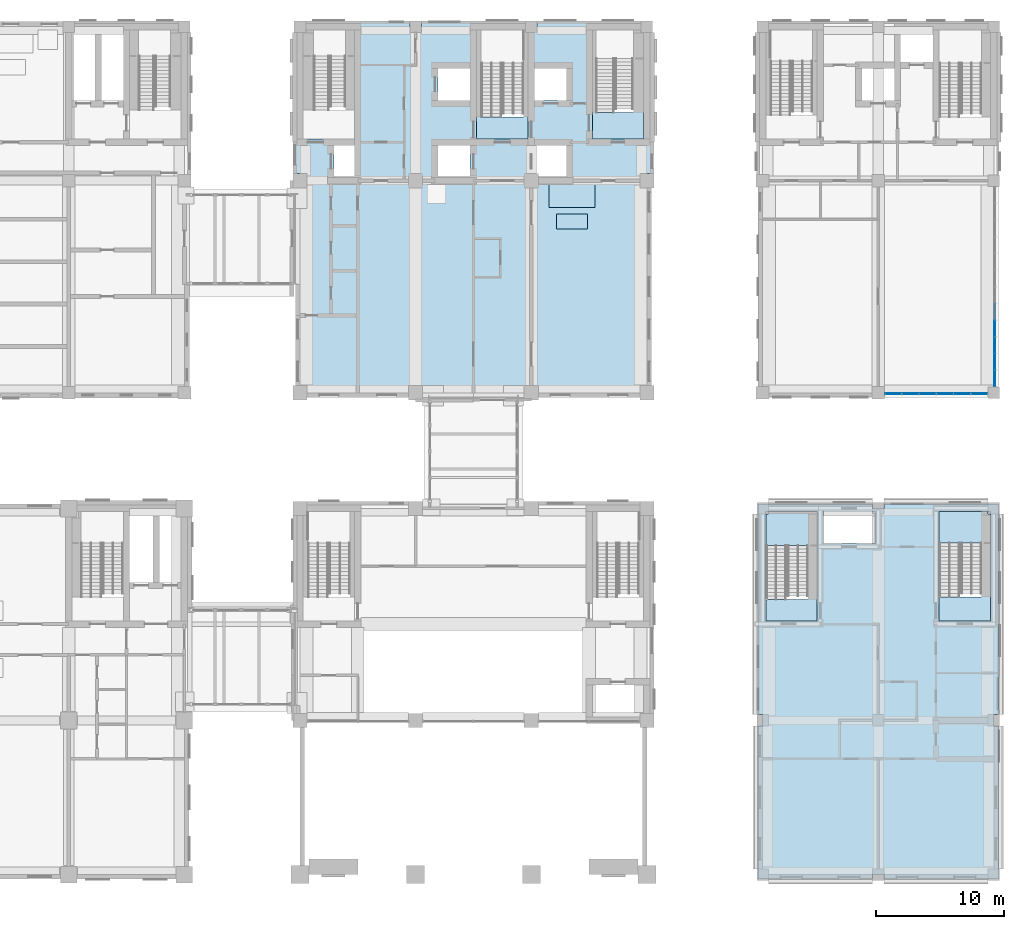
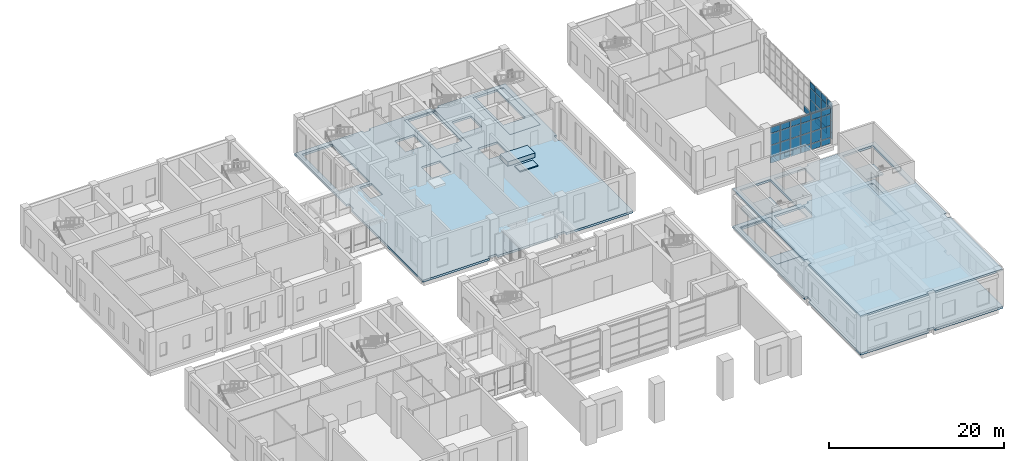
# One storey, part 24 of 52: 41 plates, 11 slabs, 6 elements without a shape of their own.
"""IFC4 building model written with IfcOpenShell, lengths in metres."""

from ifc_helpers import new_model, si_unit, direction, frame, origin, origin_2d, place, context, subcontext, project, spatial, polyline, rectangle, outline, extrude, material, layer, layer_set, type_object, element, aggregate, save


model = new_model("IFC4")

# Units and contexts
model_context = context("Model", 3, precision=1e-05, world=origin(), true_north=direction((0.0, 1.0)))
body_context = subcontext(model_context, "Body", "Model", "MODEL_VIEW")
ifc_project = project(units=[si_unit("LENGTHUNIT", "METRE"), si_unit("AREAUNIT", "SQUARE_METRE"), si_unit("VOLUMEUNIT", "CUBIC_METRE"), si_unit("PLANEANGLEUNIT", "RADIAN"), si_unit("MASSUNIT", "GRAM", prefix="KILO")], contexts=[model_context])

# Site, building, storey
site_placement = place(None, origin())
site = spatial("IfcSite", under=ifc_project, at=site_placement, CompositionType="ELEMENT")
building_placement = place(site_placement, origin())
building = spatial("IfcBuilding", under=site, at=building_placement, Name="Aurelan Courthouse", CompositionType="ELEMENT")
storey_placement = place(building_placement, frame((0.0, 0.0, 6.60009765625)))
storey = spatial("IfcBuildingStorey", under=building, at=storey_placement, Name="L01", CompositionType="ELEMENT", Elevation=6.60009765625)

# Curtain wall, plates
ifc_material_1 = material(Name="Bronze-finished aluminium and glass", Category="aluminium")
ifc_layer_1 = layer(ifc_material_1, 0.14990234375)
ifc_layer_set_1 = layer_set([ifc_layer_1], Name="Bronze-finished aluminium and glass")
curtain_wall_type_1 = type_object("IfcCurtainWallType", Name="Curtain wall 8050 x 5100", PredefinedType="NOTDEFINED", material=ifc_layer_set_1)
curtain_wall_1_placement = place(storey_placement, origin())
curtain_wall_1 = element("IfcCurtainWall", 1, at=curtain_wall_1_placement, inside=storey, type_object=curtain_wall_type_1, Name="Curtain wall CW-V3-L01-S01", PredefinedType="NOTDEFINED")
ifc_material_2 = material(Name="Bronze-finished aluminium", Category="aluminium")
ifc_layer_2 = layer(ifc_material_2, 0.070068359375)
ifc_layer_set_2 = layer_set([ifc_layer_2], Name="Bronze-finished aluminium")
plate_type_1 = type_object("IfcPlateType", Name="Bronze spandrel panel 70", PredefinedType="CURTAIN_PANEL", material=ifc_layer_set_2)
plate_1_placement = place(storey_placement, frame((82.185791015625, 37.425048828125, 4.22998046875), z_axis=(0.0, 0.0, 1.0), x_axis=(1.0, 0.0, 0.0)))
plate_1 = element("IfcPlate", 2, at=plate_1_placement, type_object=plate_type_1, Name="CW-V3-L01-S01 spandrel panel 1.4", PredefinedType="CURTAIN_PANEL", context=body_context, shape_type="SweptSolid", body=[
    extrude(rectangle(XDim=1.251708984375, YDim=0.070068359375, at=origin_2d()), origin(), (0.0, 0.0, 1.0), 0.81005859375),
])
plate_2_placement = place(storey_placement, frame((83.512451171875, 37.425048828125, 4.22998046875), z_axis=(0.0, 0.0, 1.0), x_axis=(1.0, 0.0, 0.0)))
plate_2 = element("IfcPlate", 3, at=plate_2_placement, type_object=plate_type_1, Name="CW-V3-L01-S01 spandrel panel 2.4", PredefinedType="CURTAIN_PANEL", context=body_context, shape_type="SweptSolid", body=[
    extrude(rectangle(XDim=1.28173828125, YDim=0.070068359375, at=origin_2d()), origin(), (0.0, 0.0, 1.0), 0.81005859375),
])
plate_3_placement = place(storey_placement, frame((84.854248046875, 37.425048828125, 4.22998046875), z_axis=(0.0, 0.0, 1.0), x_axis=(1.0, 0.0, 0.0)))
plate_3 = element("IfcPlate", 4, at=plate_3_placement, type_object=plate_type_1, Name="CW-V3-L01-S01 spandrel panel 3.4", PredefinedType="CURTAIN_PANEL", context=body_context, shape_type="SweptSolid", body=[
    extrude(rectangle(XDim=1.28173828125, YDim=0.070068359375, at=origin_2d()), origin(), (0.0, 0.0, 1.0), 0.81005859375),
])
plate_4_placement = place(storey_placement, frame((86.19580078125, 37.425048828125, 4.22998046875), z_axis=(0.0, 0.0, 1.0), x_axis=(1.0, 0.0, 0.0)))
plate_4 = element("IfcPlate", 5, at=plate_4_placement, type_object=plate_type_1, Name="CW-V3-L01-S01 spandrel panel 4.4", PredefinedType="CURTAIN_PANEL", context=body_context, shape_type="SweptSolid", body=[
    extrude(rectangle(XDim=1.28173828125, YDim=0.070068359375, at=origin_2d()), origin(), (0.0, 0.0, 1.0), 0.81005859375),
])
plate_5_placement = place(storey_placement, frame((87.53759765625, 37.425048828125, 4.22998046875), z_axis=(0.0, 0.0, 1.0), x_axis=(1.0, 0.0, 0.0)))
plate_5 = element("IfcPlate", 6, at=plate_5_placement, type_object=plate_type_1, Name="CW-V3-L01-S01 spandrel panel 5.4", PredefinedType="CURTAIN_PANEL", context=body_context, shape_type="SweptSolid", body=[
    extrude(rectangle(XDim=1.28173828125, YDim=0.070068359375, at=origin_2d()), origin(), (0.0, 0.0, 1.0), 0.81005859375),
])
plate_6_placement = place(storey_placement, frame((88.8642578125, 37.425048828125, 4.22998046875), z_axis=(0.0, 0.0, 1.0), x_axis=(1.0, 0.0, 0.0)))
plate_6 = element("IfcPlate", 7, at=plate_6_placement, type_object=plate_type_1, Name="CW-V3-L01-S01 spandrel panel 6.4", PredefinedType="CURTAIN_PANEL", context=body_context, shape_type="SweptSolid", body=[
    extrude(rectangle(XDim=1.251708984375, YDim=0.070068359375, at=origin_2d()), origin(), (0.0, 0.0, 1.0), 0.81005859375),
])

ifc_layer_3 = layer(ifc_material_1, 0.14990234375)
ifc_layer_set_3 = layer_set([ifc_layer_3], Name="Bronze-finished aluminium and glass")
curtain_wall_type_2 = type_object("IfcCurtainWallType", Name="Curtain wall 15600 x 5100", PredefinedType="NOTDEFINED", material=ifc_layer_set_3)
curtain_wall_2_placement = place(storey_placement, origin())
curtain_wall_2 = element("IfcCurtainWall", 8, at=curtain_wall_2_placement, inside=storey, type_object=curtain_wall_type_2, Name="Curtain wall CW-V3-L01-E01", PredefinedType="NOTDEFINED")
plate_7_placement = place(storey_placement, frame((90.074951171875, 38.614990234375, 4.22998046875), z_axis=(0.0, 0.0, 1.0), x_axis=(0.0, 1.0, 0.0)))
plate_7 = element("IfcPlate", 9, at=plate_7_placement, type_object=plate_type_1, Name="CW-V3-L01-E01 spandrel panel 1.4", PredefinedType="CURTAIN_PANEL", context=body_context, shape_type="SweptSolid", body=[
    extrude(rectangle(XDim=1.2099609375, YDim=0.070068359375, at=origin_2d()), origin(), (0.0, 0.0, 1.0), 0.81005859375),
])
plate_8_placement = place(storey_placement, frame((90.074951171875, 39.89990234375, 4.22998046875), z_axis=(0.0, 0.0, 1.0), x_axis=(0.0, 1.0, 0.0)))
plate_8 = element("IfcPlate", 10, at=plate_8_placement, type_object=plate_type_1, Name="CW-V3-L01-E01 spandrel panel 2.4", PredefinedType="CURTAIN_PANEL", context=body_context, shape_type="SweptSolid", body=[
    extrude(rectangle(XDim=1.239990234375, YDim=0.070068359375, at=origin_2d()), origin(), (0.0, 0.0, 1.0), 0.81005859375),
])
plate_9_placement = place(storey_placement, frame((90.074951171875, 41.199951171875, 4.22998046875), z_axis=(0.0, 0.0, 1.0), x_axis=(0.0, 1.0, 0.0)))
plate_9 = element("IfcPlate", 11, at=plate_9_placement, type_object=plate_type_1, Name="CW-V3-L01-E01 spandrel panel 3.4", PredefinedType="CURTAIN_PANEL", context=body_context, shape_type="SweptSolid", body=[
    extrude(rectangle(XDim=1.239990234375, YDim=0.070068359375, at=origin_2d()), origin(), (0.0, 0.0, 1.0), 0.81005859375),
])
plate_10_placement = place(storey_placement, frame((90.074951171875, 42.5, 4.22998046875), z_axis=(0.0, 0.0, 1.0), x_axis=(0.0, 1.0, 0.0)))
plate_10 = element("IfcPlate", 12, at=plate_10_placement, type_object=plate_type_1, Name="CW-V3-L01-E01 spandrel panel 4.4", PredefinedType="CURTAIN_PANEL", context=body_context, shape_type="SweptSolid", body=[
    extrude(rectangle(XDim=1.239990234375, YDim=0.070068359375, at=origin_2d()), origin(), (0.0, 0.0, 1.0), 0.81005859375),
])

# Slabs
ifc_material_3 = material(Name="Concrete C30", Category="concrete")
ifc_layer_4 = layer(ifc_material_3, 0.14990234375)
ifc_layer_set_4 = layer_set([ifc_layer_4], Name="Concrete C30")
slab_type_1 = type_object("IfcSlabType", Name="Clerk's dais 150", PredefinedType="FLOOR", material=ifc_layer_set_4)
slab_1_placement = place(storey_placement, origin())
element("IfcSlab", 13, at=slab_1_placement, inside=storey, type_object=slab_type_1, Name="Clerk's dais Grand Civil Courtroom 2.01.02", PredefinedType="FLOOR", context=body_context, shape_type="SweptSolid", body=[
    extrude(outline(polyline([(55.97509765625, 50.22509765625), (58.375, 50.22509765625), (58.375, 51.425048828125), (55.97509765625, 51.425048828125), (55.97509765625, 50.22509765625)])), origin(), (0.0, 0.0, 1.0), 0.14990234375),
])
ifc_layer_5 = layer(ifc_material_3, 0.610107421875)
ifc_layer_set_5 = layer_set([ifc_layer_5], Name="Concrete C30")
slab_type_2 = type_object("IfcSlabType", Name="Judge's bench dais 610", PredefinedType="FLOOR", material=ifc_layer_set_5)
slab_2_placement = place(storey_placement, origin())
element("IfcSlab", 14, at=slab_2_placement, inside=storey, type_object=slab_type_2, Name="Judge's bench dais Grand Civil Courtroom 2.01.02", PredefinedType="FLOOR", context=body_context, shape_type="SweptSolid", body=[
    extrude(outline(polyline([(55.375, 51.925048828125), (58.97509765625, 51.925048828125), (58.97509765625, 53.72509765625), (55.375, 53.72509765625), (55.375, 51.925048828125)])), origin(), (0.0, 0.0, 1.0), 0.60986328125),
])
ifc_material_4 = material(Name="Concrete C40", Category="concrete")
ifc_layer_6 = layer(ifc_material_4, 0.300048828125)
ifc_layer_set_6 = layer_set([ifc_layer_6], Name="Concrete C40")
slab_type_3 = type_object("IfcSlabType", Name="PT floor slab 300", PredefinedType="FLOOR", material=ifc_layer_set_6)
slab_3_placement = place(storey_placement, frame((0.0, 0.0, -0.300048828125)))
element("IfcSlab", 15, at=slab_3_placement, inside=storey, type_object=slab_type_3, Name="Floor slab SL-L01-02", PredefinedType="FLOOR", context=body_context, shape_type="SweptSolid", body=[
    extrude(outline(polyline([(35.64990234375, 66.35009765625), (35.64990234375, 65.550048828125), (35.64990234375, 54.550048828125), (36.0, 54.550048828125), (36.0, 53.449951171875), (35.64990234375, 53.449951171875), (35.64990234375, 38.050048828125), (35.64990234375, 37.14990234375), (36.550048828125, 37.14990234375), (44.449951171875, 37.14990234375), (44.449951171875, 37.5), (45.550048828125, 37.5), (45.550048828125, 37.14990234375), (53.449951171875, 37.14990234375), (53.449951171875, 37.5), (54.550048828125, 37.5), (54.550048828125, 37.14990234375), (62.449951171875, 37.14990234375), (63.35009765625, 37.14990234375), (63.35009765625, 38.050048828125), (63.35009765625, 53.449951171875), (63.0, 53.449951171875), (63.0, 54.550048828125), (63.35009765625, 54.550048828125), (63.35009765625, 65.550048828125), (63.35009765625, 66.35009765625), (62.550048828125, 66.35009765625), (54.449951171875, 66.35009765625), (54.449951171875, 66.0), (53.550048828125, 66.0), (53.550048828125, 66.35009765625), (45.449951171875, 66.35009765625), (45.449951171875, 66.0), (44.550048828125, 66.0), (44.550048828125, 66.35009765625), (36.449951171875, 66.35009765625), (35.64990234375, 66.35009765625)]), holes=[polyline([(58.75, 65.75), (62.75, 65.75), (62.75, 57.25), (58.75, 57.25), (58.75, 65.75)]), polyline([(56.75, 56.75), (56.75, 54.25), (54.25, 54.25), (54.25, 56.75), (56.75, 56.75)]), polyline([(56.75, 60.25), (54.25, 60.25), (54.25, 62.75), (56.75, 62.75), (56.75, 60.25)]), polyline([(49.75, 57.25), (49.75, 65.75), (53.75, 65.75), (53.75, 57.25), (49.75, 57.25)]), polyline([(46.75, 56.75), (49.25, 56.75), (49.25, 54.25), (46.75, 54.25), (46.75, 56.75)]), polyline([(46.75, 60.25), (46.75, 62.75), (49.25, 62.75), (49.25, 60.25), (46.75, 60.25)]), polyline([(40.25, 56.75), (40.25, 54.25), (38.64990234375, 54.25), (38.64990234375, 56.75), (40.25, 56.75)]), polyline([(40.25, 57.25), (36.25, 57.25), (36.25, 65.75), (40.25, 65.75), (40.25, 57.25)])]), origin(), (0.0, 0.0, 1.0), 0.300048828125),
])
slab_4_placement = place(storey_placement, frame((0.0, 0.0, -0.300048828125)))
element("IfcSlab", 16, at=slab_4_placement, inside=storey, type_object=slab_type_3, Name="Floor slab SL-L01-04", PredefinedType="FLOOR", context=body_context, shape_type="SweptSolid", body=[
    extrude(outline(polyline([(71.64990234375, 11.550048828125), (71.64990234375, 0.449951171875), (71.64990234375, -0.35009765625), (72.449951171875, -0.35009765625), (80.550048828125, -0.35009765625), (80.550048828125, 0.0), (81.449951171875, 0.0), (81.449951171875, -0.35009765625), (89.550048828125, -0.35009765625), (90.35009765625, -0.35009765625), (90.35009765625, 0.449951171875), (90.35009765625, 11.550048828125), (90.0, 11.550048828125), (90.0, 12.449951171875), (90.35009765625, 12.449951171875), (90.35009765625, 28.050048828125), (90.35009765625, 28.85009765625), (89.550048828125, 28.85009765625), (81.449951171875, 28.85009765625), (81.449951171875, 28.5), (80.550048828125, 28.5), (80.550048828125, 28.85009765625), (72.449951171875, 28.85009765625), (71.64990234375, 28.85009765625), (71.64990234375, 28.050048828125), (71.64990234375, 12.449951171875), (72.0, 12.449951171875), (72.0, 11.550048828125), (71.64990234375, 11.550048828125)]), holes=[polyline([(85.75, 28.25), (89.75, 28.25), (89.75, 19.75), (85.75, 19.75), (85.75, 28.25)]), polyline([(80.75, 28.25), (80.75, 25.75), (76.75, 25.75), (76.75, 28.25), (80.75, 28.25)]), polyline([(72.25, 19.75), (72.25, 28.25), (76.25, 28.25), (76.25, 19.75), (72.25, 19.75)])]), origin(), (0.0, 0.0, 1.0), 0.300048828125),
])
ifc_layer_7 = layer(ifc_material_4, 0.25)
ifc_layer_set_7 = layer_set([ifc_layer_7], Name="Concrete C40")
slab_type_4 = type_object("IfcSlabType", Name="Roof slab 250", PredefinedType="ROOF", material=ifc_layer_set_7)
slab_5_placement = place(storey_placement, frame((0.0, 0.0, 4.951904296875)))
element("IfcSlab", 17, at=slab_5_placement, inside=storey, type_object=slab_type_4, Name="Roof slab V4 SL-L01-07", PredefinedType="ROOF", context=body_context, shape_type="SweptSolid", body=[
    extrude(outline(polyline([(71.64990234375, 11.550048828125), (71.64990234375, 0.449951171875), (71.64990234375, -0.35009765625), (72.449951171875, -0.35009765625), (80.550048828125, -0.35009765625), (80.550048828125, 0.0), (81.449951171875, 0.0), (81.449951171875, -0.35009765625), (89.550048828125, -0.35009765625), (90.35009765625, -0.35009765625), (90.35009765625, 0.449951171875), (90.35009765625, 11.550048828125), (90.0, 11.550048828125), (90.0, 12.449951171875), (90.35009765625, 12.449951171875), (90.35009765625, 28.050048828125), (90.35009765625, 28.85009765625), (89.550048828125, 28.85009765625), (81.449951171875, 28.85009765625), (81.449951171875, 28.5), (80.550048828125, 28.5), (80.550048828125, 28.85009765625), (72.449951171875, 28.85009765625), (71.64990234375, 28.85009765625), (71.64990234375, 28.050048828125), (71.64990234375, 12.449951171875), (72.0, 12.449951171875), (72.0, 11.550048828125), (71.64990234375, 11.550048828125)]), holes=[polyline([(85.75, 28.25), (89.75, 28.25), (89.75, 19.75), (85.75, 19.75), (85.75, 28.25)]), polyline([(80.75, 28.25), (80.75, 25.75), (76.75, 25.75), (76.75, 28.25), (80.75, 28.25)]), polyline([(72.25, 19.75), (72.25, 28.25), (76.25, 28.25), (76.25, 19.75), (72.25, 19.75)])]), origin(), (0.0, 0.0, 1.0), 0.25),
])

# Plate
ifc_layer_8 = layer(ifc_material_2, 0.0400390625)
ifc_layer_set_8 = layer_set([ifc_layer_8], Name="Bronze-finished aluminium")
plate_type_2 = type_object("IfcPlateType", Name="Sill panel 40", PredefinedType="CURTAIN_PANEL", material=ifc_layer_set_8)
plate_11_placement = place(storey_placement, frame((82.185791015625, 37.425048828125, 0.059814453125), z_axis=(0.0, 0.0, 1.0), x_axis=(1.0, 0.0, 0.0)))
plate_11 = element("IfcPlate", 18, at=plate_11_placement, type_object=plate_type_2, Name="CW-V3-L01-S01 sill panel 1.1", PredefinedType="CURTAIN_PANEL", context=body_context, shape_type="SweptSolid", body=[
    extrude(rectangle(XDim=1.251708984375, YDim=0.0400390625, at=origin_2d()), origin(), (0.0, 0.0, 1.0), 0.81005859375),
])

plate_12_placement = place(storey_placement, frame((83.512451171875, 37.425048828125, 0.059814453125), z_axis=(0.0, 0.0, 1.0), x_axis=(1.0, 0.0, 0.0)))
plate_12 = element("IfcPlate", 19, at=plate_12_placement, type_object=plate_type_2, Name="CW-V3-L01-S01 sill panel 2.1", PredefinedType="CURTAIN_PANEL", context=body_context, shape_type="SweptSolid", body=[
    extrude(rectangle(XDim=1.28173828125, YDim=0.0400390625, at=origin_2d()), origin(), (0.0, 0.0, 1.0), 0.81005859375),
])

plate_13_placement = place(storey_placement, frame((84.854248046875, 37.425048828125, 0.059814453125), z_axis=(0.0, 0.0, 1.0), x_axis=(1.0, 0.0, 0.0)))
plate_13 = element("IfcPlate", 20, at=plate_13_placement, type_object=plate_type_2, Name="CW-V3-L01-S01 sill panel 3.1", PredefinedType="CURTAIN_PANEL", context=body_context, shape_type="SweptSolid", body=[
    extrude(rectangle(XDim=1.28173828125, YDim=0.0400390625, at=origin_2d()), origin(), (0.0, 0.0, 1.0), 0.81005859375),
])

plate_14_placement = place(storey_placement, frame((86.19580078125, 37.425048828125, 0.059814453125), z_axis=(0.0, 0.0, 1.0), x_axis=(1.0, 0.0, 0.0)))
plate_14 = element("IfcPlate", 21, at=plate_14_placement, type_object=plate_type_2, Name="CW-V3-L01-S01 sill panel 4.1", PredefinedType="CURTAIN_PANEL", context=body_context, shape_type="SweptSolid", body=[
    extrude(rectangle(XDim=1.28173828125, YDim=0.0400390625, at=origin_2d()), origin(), (0.0, 0.0, 1.0), 0.81005859375),
])

plate_15_placement = place(storey_placement, frame((87.53759765625, 37.425048828125, 0.059814453125), z_axis=(0.0, 0.0, 1.0), x_axis=(1.0, 0.0, 0.0)))
plate_15 = element("IfcPlate", 22, at=plate_15_placement, type_object=plate_type_2, Name="CW-V3-L01-S01 sill panel 5.1", PredefinedType="CURTAIN_PANEL", context=body_context, shape_type="SweptSolid", body=[
    extrude(rectangle(XDim=1.28173828125, YDim=0.0400390625, at=origin_2d()), origin(), (0.0, 0.0, 1.0), 0.81005859375),
])

plate_16_placement = place(storey_placement, frame((88.8642578125, 37.425048828125, 0.059814453125), z_axis=(0.0, 0.0, 1.0), x_axis=(1.0, 0.0, 0.0)))
plate_16 = element("IfcPlate", 23, at=plate_16_placement, type_object=plate_type_2, Name="CW-V3-L01-S01 sill panel 6.1", PredefinedType="CURTAIN_PANEL", context=body_context, shape_type="SweptSolid", body=[
    extrude(rectangle(XDim=1.251708984375, YDim=0.0400390625, at=origin_2d()), origin(), (0.0, 0.0, 1.0), 0.81005859375),
])

plate_17_placement = place(storey_placement, frame((90.074951171875, 38.614990234375, 0.059814453125), z_axis=(0.0, 0.0, 1.0), x_axis=(0.0, 1.0, 0.0)))
plate_17 = element("IfcPlate", 24, at=plate_17_placement, type_object=plate_type_2, Name="CW-V3-L01-E01 sill panel 1.1", PredefinedType="CURTAIN_PANEL", context=body_context, shape_type="SweptSolid", body=[
    extrude(rectangle(XDim=1.2099609375, YDim=0.0400390625, at=origin_2d()), origin(), (0.0, 0.0, 1.0), 0.81005859375),
])

plate_18_placement = place(storey_placement, frame((90.074951171875, 39.89990234375, 0.059814453125), z_axis=(0.0, 0.0, 1.0), x_axis=(0.0, 1.0, 0.0)))
plate_18 = element("IfcPlate", 25, at=plate_18_placement, type_object=plate_type_2, Name="CW-V3-L01-E01 sill panel 2.1", PredefinedType="CURTAIN_PANEL", context=body_context, shape_type="SweptSolid", body=[
    extrude(rectangle(XDim=1.239990234375, YDim=0.0400390625, at=origin_2d()), origin(), (0.0, 0.0, 1.0), 0.81005859375),
])

plate_19_placement = place(storey_placement, frame((90.074951171875, 41.199951171875, 0.059814453125), z_axis=(0.0, 0.0, 1.0), x_axis=(0.0, 1.0, 0.0)))
plate_19 = element("IfcPlate", 26, at=plate_19_placement, type_object=plate_type_2, Name="CW-V3-L01-E01 sill panel 3.1", PredefinedType="CURTAIN_PANEL", context=body_context, shape_type="SweptSolid", body=[
    extrude(rectangle(XDim=1.239990234375, YDim=0.0400390625, at=origin_2d()), origin(), (0.0, 0.0, 1.0), 0.81005859375),
])

plate_20_placement = place(storey_placement, frame((90.074951171875, 42.5, 0.059814453125), z_axis=(0.0, 0.0, 1.0), x_axis=(0.0, 1.0, 0.0)))
plate_20 = element("IfcPlate", 27, at=plate_20_placement, type_object=plate_type_2, Name="CW-V3-L01-E01 sill panel 4.1", PredefinedType="CURTAIN_PANEL", context=body_context, shape_type="SweptSolid", body=[
    extrude(rectangle(XDim=1.239990234375, YDim=0.0400390625, at=origin_2d()), origin(), (0.0, 0.0, 1.0), 0.81005859375),
])

plate_21_placement = place(storey_placement, frame((90.074951171875, 43.800048828125, 0.059814453125), z_axis=(0.0, 0.0, 1.0), x_axis=(0.0, 1.0, 0.0)))
plate_21 = element("IfcPlate", 28, at=plate_21_placement, type_object=plate_type_2, Name="CW-V3-L01-E01 sill panel 5.1", PredefinedType="CURTAIN_PANEL", context=body_context, shape_type="SweptSolid", body=[
    extrude(rectangle(XDim=1.239990234375, YDim=0.0400390625, at=origin_2d()), origin(), (0.0, 0.0, 1.0), 0.81005859375),
])

# Stair, slab
stair_type_1 = type_object("IfcStairType", Name="Half-turn stair 1600 wide 31 risers", PredefinedType="HALF_TURN_STAIR", material=ifc_material_3)
stair_1_placement = place(storey_placement, origin())
stair_1 = element("IfcStair", 29, at=stair_1_placement, inside=storey, type_object=stair_type_1, Name="Stair ST-2A-L01", PredefinedType="HALF_TURN_STAIR")
ifc_layer_9 = layer(ifc_material_3, 0.300048828125)
ifc_layer_set_9 = layer_set([ifc_layer_9], Name="Concrete C30")
slab_type_5 = type_object("IfcSlabType", Name="Stair floor landing 300 thick", PredefinedType="LANDING", material=ifc_layer_set_9)
slab_6_placement = place(storey_placement, frame((0.0, 0.0, -0.300048828125)))
slab_6 = element("IfcSlab", 30, at=slab_6_placement, type_object=slab_type_5, Name="Stair ST-2A-L01 floor landing", PredefinedType="LANDING", context=body_context, shape_type="SweptSolid", body=[
    extrude(outline(polyline([(53.75, 57.25), (49.75, 57.25), (49.75, 65.590087890625), (49.75, 65.60009765625), (49.75, 65.75), (53.550048828125, 65.75), (53.550048828125, 65.550048828125), (53.75, 65.550048828125), (53.75, 57.25)]), holes=[polyline([(51.800048828125, 58.9609375), (53.39990234375, 58.9609375), (53.39990234375, 65.590087890625), (50.10009765625, 65.590087890625), (50.10009765625, 58.9609375), (51.800048828125, 58.9609375)])]), origin(), (0.0, 0.0, 1.0), 0.300048828125),
])
aggregate(stair_1, [slab_6])

stair_type_2 = type_object("IfcStairType", Name="Half-turn stair 1400 wide 31 risers", PredefinedType="HALF_TURN_STAIR", material=ifc_material_3)
stair_2_placement = place(storey_placement, origin())
stair_2 = element("IfcStair", 31, at=stair_2_placement, inside=storey, type_object=stair_type_2, Name="Stair ST-2E-L01", PredefinedType="HALF_TURN_STAIR")
slab_7_placement = place(storey_placement, frame((0.0, 0.0, -0.300048828125)))
slab_7 = element("IfcSlab", 32, at=slab_7_placement, type_object=slab_type_5, Name="Stair ST-2E-L01 floor landing", PredefinedType="LANDING", context=body_context, shape_type="SweptSolid", body=[
    extrude(outline(polyline([(59.0400390625, 59.31103515625), (60.5400390625, 59.31103515625), (61.93994140625, 59.31103515625), (61.93994140625, 65.75), (62.550048828125, 65.75), (62.550048828125, 65.550048828125), (62.75, 65.550048828125), (62.75, 57.25), (58.75, 57.25), (58.75, 65.75), (59.0400390625, 65.75), (59.0400390625, 59.31103515625)])), origin(), (0.0, 0.0, 1.0), 0.300048828125),
])
aggregate(stair_2, [slab_7])

stair_3_placement = place(storey_placement, origin())
stair_3 = element("IfcStair", 33, at=stair_3_placement, inside=storey, type_object=stair_type_1, Name="Stair ST-4A-L01", PredefinedType="HALF_TURN_STAIR")
slab_8_placement = place(storey_placement, frame((0.0, 0.0, -0.300048828125)))
slab_8 = element("IfcSlab", 34, at=slab_8_placement, type_object=slab_type_5, Name="Stair ST-4A-L01 floor landing", PredefinedType="LANDING", context=body_context, shape_type="SweptSolid", body=[
    extrude(outline(polyline([(75.550048828125, 21.410888671875), (75.550048828125, 28.050048828125), (72.449951171875, 28.050048828125), (72.449951171875, 28.25), (76.25, 28.25), (76.25, 19.75), (72.25, 19.75), (72.25, 21.410888671875), (73.949951171875, 21.410888671875), (75.550048828125, 21.410888671875)])), origin(), (0.0, 0.0, 1.0), 0.300048828125),
])

stair_4_placement = place(storey_placement, origin())
stair_4 = element("IfcStair", 35, at=stair_4_placement, inside=storey, type_object=stair_type_1, Name="Stair ST-4B-L01", PredefinedType="HALF_TURN_STAIR")
slab_9_placement = place(storey_placement, frame((0.0, 0.0, -0.300048828125)))
slab_9 = element("IfcSlab", 36, at=slab_9_placement, type_object=slab_type_5, Name="Stair ST-4B-L01 floor landing", PredefinedType="LANDING", context=body_context, shape_type="SweptSolid", body=[
    extrude(outline(polyline([(89.050048828125, 21.611083984375), (89.050048828125, 28.25), (89.550048828125, 28.25), (89.550048828125, 28.050048828125), (89.75, 28.050048828125), (89.75, 19.75), (85.75, 19.75), (85.75, 21.611083984375), (87.449951171875, 21.611083984375), (89.050048828125, 21.611083984375)])), origin(), (0.0, 0.0, 1.0), 0.300048828125),
])

# Slab
ifc_layer_10 = layer(ifc_material_3, 0.199951171875)
ifc_layer_set_10 = layer_set([ifc_layer_10], Name="Concrete C30")
slab_type_6 = type_object("IfcSlabType", Name="Stair half landing 200 thick", PredefinedType="LANDING", material=ifc_layer_set_10)
slab_10_placement = place(storey_placement, frame((0.0, 0.0, 2.5869140625)))
slab_10 = element("IfcSlab", 37, at=slab_10_placement, type_object=slab_type_6, Name="Stair ST-4A-L01 half landing", PredefinedType="LANDING", context=body_context, shape_type="SweptSolid", body=[
    extrude(outline(polyline([(72.25, 28.050048828125), (72.449951171875, 28.050048828125), (72.449951171875, 28.25), (76.25, 28.25), (76.25, 25.610107421875), (72.25, 25.610107421875), (72.25, 28.050048828125)])), origin(), (0.0, 0.0, 1.0), 0.2001953125),
])

aggregate(stair_3, [slab_10, slab_8])

slab_11_placement = place(storey_placement, frame((0.0, 0.0, 2.5869140625)))
slab_11 = element("IfcSlab", 38, at=slab_11_placement, type_object=slab_type_6, Name="Stair ST-4B-L01 half landing", PredefinedType="LANDING", context=body_context, shape_type="SweptSolid", body=[
    extrude(outline(polyline([(85.75, 28.25), (89.550048828125, 28.25), (89.550048828125, 28.050048828125), (89.75, 28.050048828125), (89.75, 25.81005859375), (85.75, 25.81005859375), (85.75, 28.25)])), origin(), (0.0, 0.0, 1.0), 0.2001953125),
])

aggregate(stair_4, [slab_11, slab_9])

# Plate
ifc_material_5 = material(Name="Laminated low-emissivity glass", Category="glass")
ifc_layer_11 = layer(ifc_material_5, 0.031982421875)
ifc_layer_set_11 = layer_set([ifc_layer_11], Name="Laminated low-emissivity glass")
plate_type_3 = type_object("IfcPlateType", Name="Vision glass panel 32", PredefinedType="CURTAIN_PANEL", material=ifc_layer_set_11)
plate_22_placement = place(storey_placement, frame((82.185791015625, 37.425048828125, 0.9296875), z_axis=(0.0, 0.0, 1.0), x_axis=(1.0, 0.0, 0.0)))
plate_22 = element("IfcPlate", 39, at=plate_22_placement, type_object=plate_type_3, Name="CW-V3-L01-S01 vision panel 1.2", PredefinedType="CURTAIN_PANEL", context=body_context, shape_type="SweptSolid", body=[
    extrude(rectangle(XDim=1.251708984375, YDim=0.031982421875, at=origin_2d()), origin(), (0.0, 0.0, 1.0), 1.590087890625),
])

plate_23_placement = place(storey_placement, frame((82.185791015625, 37.425048828125, 2.580078125), z_axis=(0.0, 0.0, 1.0), x_axis=(1.0, 0.0, 0.0)))
plate_23 = element("IfcPlate", 40, at=plate_23_placement, type_object=plate_type_3, Name="CW-V3-L01-S01 vision panel 1.3", PredefinedType="CURTAIN_PANEL", context=body_context, shape_type="SweptSolid", body=[
    extrude(rectangle(XDim=1.251708984375, YDim=0.031982421875, at=origin_2d()), origin(), (0.0, 0.0, 1.0), 1.590087890625),
])

plate_24_placement = place(storey_placement, frame((83.512451171875, 37.425048828125, 0.9296875), z_axis=(0.0, 0.0, 1.0), x_axis=(1.0, 0.0, 0.0)))
plate_24 = element("IfcPlate", 41, at=plate_24_placement, type_object=plate_type_3, Name="CW-V3-L01-S01 vision panel 2.2", PredefinedType="CURTAIN_PANEL", context=body_context, shape_type="SweptSolid", body=[
    extrude(rectangle(XDim=1.28173828125, YDim=0.031982421875, at=origin_2d()), origin(), (0.0, 0.0, 1.0), 1.590087890625),
])

plate_25_placement = place(storey_placement, frame((83.512451171875, 37.425048828125, 2.580078125), z_axis=(0.0, 0.0, 1.0), x_axis=(1.0, 0.0, 0.0)))
plate_25 = element("IfcPlate", 42, at=plate_25_placement, type_object=plate_type_3, Name="CW-V3-L01-S01 vision panel 2.3", PredefinedType="CURTAIN_PANEL", context=body_context, shape_type="SweptSolid", body=[
    extrude(rectangle(XDim=1.28173828125, YDim=0.031982421875, at=origin_2d()), origin(), (0.0, 0.0, 1.0), 1.590087890625),
])

plate_26_placement = place(storey_placement, frame((84.854248046875, 37.425048828125, 0.9296875), z_axis=(0.0, 0.0, 1.0), x_axis=(1.0, 0.0, 0.0)))
plate_26 = element("IfcPlate", 43, at=plate_26_placement, type_object=plate_type_3, Name="CW-V3-L01-S01 vision panel 3.2", PredefinedType="CURTAIN_PANEL", context=body_context, shape_type="SweptSolid", body=[
    extrude(rectangle(XDim=1.28173828125, YDim=0.031982421875, at=origin_2d()), origin(), (0.0, 0.0, 1.0), 1.590087890625),
])

plate_27_placement = place(storey_placement, frame((84.854248046875, 37.425048828125, 2.580078125), z_axis=(0.0, 0.0, 1.0), x_axis=(1.0, 0.0, 0.0)))
plate_27 = element("IfcPlate", 44, at=plate_27_placement, type_object=plate_type_3, Name="CW-V3-L01-S01 vision panel 3.3", PredefinedType="CURTAIN_PANEL", context=body_context, shape_type="SweptSolid", body=[
    extrude(rectangle(XDim=1.28173828125, YDim=0.031982421875, at=origin_2d()), origin(), (0.0, 0.0, 1.0), 1.590087890625),
])

plate_28_placement = place(storey_placement, frame((86.19580078125, 37.425048828125, 0.9296875), z_axis=(0.0, 0.0, 1.0), x_axis=(1.0, 0.0, 0.0)))
plate_28 = element("IfcPlate", 45, at=plate_28_placement, type_object=plate_type_3, Name="CW-V3-L01-S01 vision panel 4.2", PredefinedType="CURTAIN_PANEL", context=body_context, shape_type="SweptSolid", body=[
    extrude(rectangle(XDim=1.28173828125, YDim=0.031982421875, at=origin_2d()), origin(), (0.0, 0.0, 1.0), 1.590087890625),
])

plate_29_placement = place(storey_placement, frame((86.19580078125, 37.425048828125, 2.580078125), z_axis=(0.0, 0.0, 1.0), x_axis=(1.0, 0.0, 0.0)))
plate_29 = element("IfcPlate", 46, at=plate_29_placement, type_object=plate_type_3, Name="CW-V3-L01-S01 vision panel 4.3", PredefinedType="CURTAIN_PANEL", context=body_context, shape_type="SweptSolid", body=[
    extrude(rectangle(XDim=1.28173828125, YDim=0.031982421875, at=origin_2d()), origin(), (0.0, 0.0, 1.0), 1.590087890625),
])

plate_30_placement = place(storey_placement, frame((87.53759765625, 37.425048828125, 0.9296875), z_axis=(0.0, 0.0, 1.0), x_axis=(1.0, 0.0, 0.0)))
plate_30 = element("IfcPlate", 47, at=plate_30_placement, type_object=plate_type_3, Name="CW-V3-L01-S01 vision panel 5.2", PredefinedType="CURTAIN_PANEL", context=body_context, shape_type="SweptSolid", body=[
    extrude(rectangle(XDim=1.28173828125, YDim=0.031982421875, at=origin_2d()), origin(), (0.0, 0.0, 1.0), 1.590087890625),
])

plate_31_placement = place(storey_placement, frame((87.53759765625, 37.425048828125, 2.580078125), z_axis=(0.0, 0.0, 1.0), x_axis=(1.0, 0.0, 0.0)))
plate_31 = element("IfcPlate", 48, at=plate_31_placement, type_object=plate_type_3, Name="CW-V3-L01-S01 vision panel 5.3", PredefinedType="CURTAIN_PANEL", context=body_context, shape_type="SweptSolid", body=[
    extrude(rectangle(XDim=1.28173828125, YDim=0.031982421875, at=origin_2d()), origin(), (0.0, 0.0, 1.0), 1.590087890625),
])

plate_32_placement = place(storey_placement, frame((88.8642578125, 37.425048828125, 0.9296875), z_axis=(0.0, 0.0, 1.0), x_axis=(1.0, 0.0, 0.0)))
plate_32 = element("IfcPlate", 49, at=plate_32_placement, type_object=plate_type_3, Name="CW-V3-L01-S01 vision panel 6.2", PredefinedType="CURTAIN_PANEL", context=body_context, shape_type="SweptSolid", body=[
    extrude(rectangle(XDim=1.251708984375, YDim=0.031982421875, at=origin_2d()), origin(), (0.0, 0.0, 1.0), 1.590087890625),
])

plate_33_placement = place(storey_placement, frame((88.8642578125, 37.425048828125, 2.580078125), z_axis=(0.0, 0.0, 1.0), x_axis=(1.0, 0.0, 0.0)))
plate_33 = element("IfcPlate", 50, at=plate_33_placement, type_object=plate_type_3, Name="CW-V3-L01-S01 vision panel 6.3", PredefinedType="CURTAIN_PANEL", context=body_context, shape_type="SweptSolid", body=[
    extrude(rectangle(XDim=1.251708984375, YDim=0.031982421875, at=origin_2d()), origin(), (0.0, 0.0, 1.0), 1.590087890625),
])

aggregate(curtain_wall_1, [plate_11, plate_22, plate_23, plate_1, plate_12, plate_24, plate_25, plate_2, plate_13, plate_26, plate_27, plate_3, plate_14, plate_28, plate_29, plate_4, plate_15, plate_30, plate_31, plate_5, plate_16, plate_32, plate_33, plate_6])

plate_34_placement = place(storey_placement, frame((90.074951171875, 38.614990234375, 0.9296875), z_axis=(0.0, 0.0, 1.0), x_axis=(0.0, 1.0, 0.0)))
plate_34 = element("IfcPlate", 51, at=plate_34_placement, type_object=plate_type_3, Name="CW-V3-L01-E01 vision panel 1.2", PredefinedType="CURTAIN_PANEL", context=body_context, shape_type="SweptSolid", body=[
    extrude(rectangle(XDim=1.2099609375, YDim=0.031982421875, at=origin_2d()), origin(), (0.0, 0.0, 1.0), 1.590087890625),
])

plate_35_placement = place(storey_placement, frame((90.074951171875, 38.614990234375, 2.580078125), z_axis=(0.0, 0.0, 1.0), x_axis=(0.0, 1.0, 0.0)))
plate_35 = element("IfcPlate", 52, at=plate_35_placement, type_object=plate_type_3, Name="CW-V3-L01-E01 vision panel 1.3", PredefinedType="CURTAIN_PANEL", context=body_context, shape_type="SweptSolid", body=[
    extrude(rectangle(XDim=1.2099609375, YDim=0.031982421875, at=origin_2d()), origin(), (0.0, 0.0, 1.0), 1.590087890625),
])

plate_36_placement = place(storey_placement, frame((90.074951171875, 39.89990234375, 0.9296875), z_axis=(0.0, 0.0, 1.0), x_axis=(0.0, 1.0, 0.0)))
plate_36 = element("IfcPlate", 53, at=plate_36_placement, type_object=plate_type_3, Name="CW-V3-L01-E01 vision panel 2.2", PredefinedType="CURTAIN_PANEL", context=body_context, shape_type="SweptSolid", body=[
    extrude(rectangle(XDim=1.239990234375, YDim=0.031982421875, at=origin_2d()), origin(), (0.0, 0.0, 1.0), 1.590087890625),
])

plate_37_placement = place(storey_placement, frame((90.074951171875, 39.89990234375, 2.580078125), z_axis=(0.0, 0.0, 1.0), x_axis=(0.0, 1.0, 0.0)))
plate_37 = element("IfcPlate", 54, at=plate_37_placement, type_object=plate_type_3, Name="CW-V3-L01-E01 vision panel 2.3", PredefinedType="CURTAIN_PANEL", context=body_context, shape_type="SweptSolid", body=[
    extrude(rectangle(XDim=1.239990234375, YDim=0.031982421875, at=origin_2d()), origin(), (0.0, 0.0, 1.0), 1.590087890625),
])

plate_38_placement = place(storey_placement, frame((90.074951171875, 41.199951171875, 0.9296875), z_axis=(0.0, 0.0, 1.0), x_axis=(0.0, 1.0, 0.0)))
plate_38 = element("IfcPlate", 55, at=plate_38_placement, type_object=plate_type_3, Name="CW-V3-L01-E01 vision panel 3.2", PredefinedType="CURTAIN_PANEL", context=body_context, shape_type="SweptSolid", body=[
    extrude(rectangle(XDim=1.239990234375, YDim=0.031982421875, at=origin_2d()), origin(), (0.0, 0.0, 1.0), 1.590087890625),
])

plate_39_placement = place(storey_placement, frame((90.074951171875, 41.199951171875, 2.580078125), z_axis=(0.0, 0.0, 1.0), x_axis=(0.0, 1.0, 0.0)))
plate_39 = element("IfcPlate", 56, at=plate_39_placement, type_object=plate_type_3, Name="CW-V3-L01-E01 vision panel 3.3", PredefinedType="CURTAIN_PANEL", context=body_context, shape_type="SweptSolid", body=[
    extrude(rectangle(XDim=1.239990234375, YDim=0.031982421875, at=origin_2d()), origin(), (0.0, 0.0, 1.0), 1.590087890625),
])

plate_40_placement = place(storey_placement, frame((90.074951171875, 42.5, 0.9296875), z_axis=(0.0, 0.0, 1.0), x_axis=(0.0, 1.0, 0.0)))
plate_40 = element("IfcPlate", 57, at=plate_40_placement, type_object=plate_type_3, Name="CW-V3-L01-E01 vision panel 4.2", PredefinedType="CURTAIN_PANEL", context=body_context, shape_type="SweptSolid", body=[
    extrude(rectangle(XDim=1.239990234375, YDim=0.031982421875, at=origin_2d()), origin(), (0.0, 0.0, 1.0), 1.590087890625),
])

plate_41_placement = place(storey_placement, frame((90.074951171875, 42.5, 2.580078125), z_axis=(0.0, 0.0, 1.0), x_axis=(0.0, 1.0, 0.0)))
plate_41 = element("IfcPlate", 58, at=plate_41_placement, type_object=plate_type_3, Name="CW-V3-L01-E01 vision panel 4.3", PredefinedType="CURTAIN_PANEL", context=body_context, shape_type="SweptSolid", body=[
    extrude(rectangle(XDim=1.239990234375, YDim=0.031982421875, at=origin_2d()), origin(), (0.0, 0.0, 1.0), 1.590087890625),
])

aggregate(curtain_wall_2, [plate_17, plate_34, plate_35, plate_7, plate_18, plate_36, plate_37, plate_8, plate_19, plate_38, plate_39, plate_9, plate_20, plate_40, plate_41, plate_10, plate_21])

save(model, "model.ifc")
